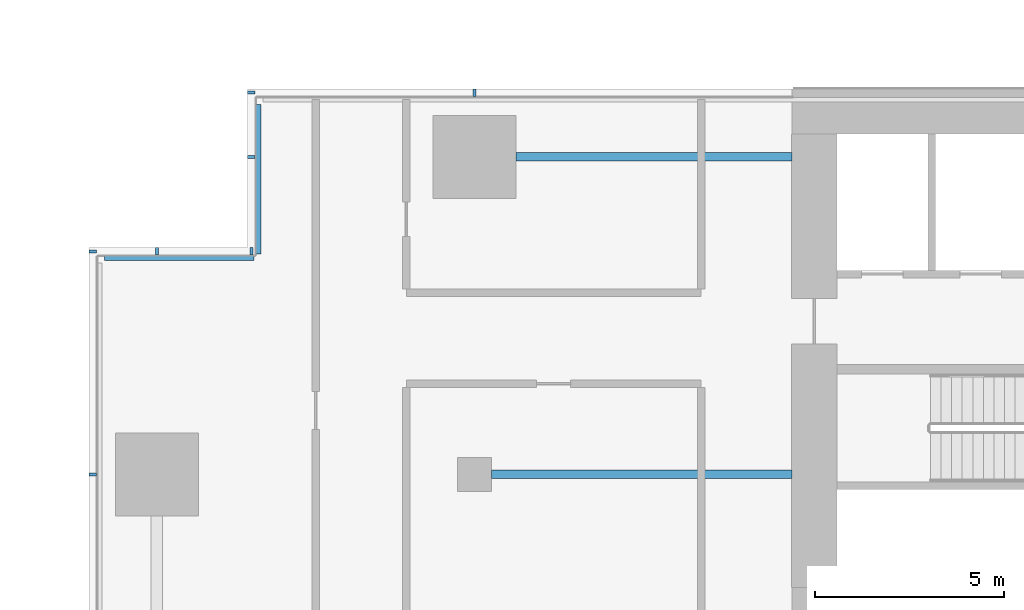
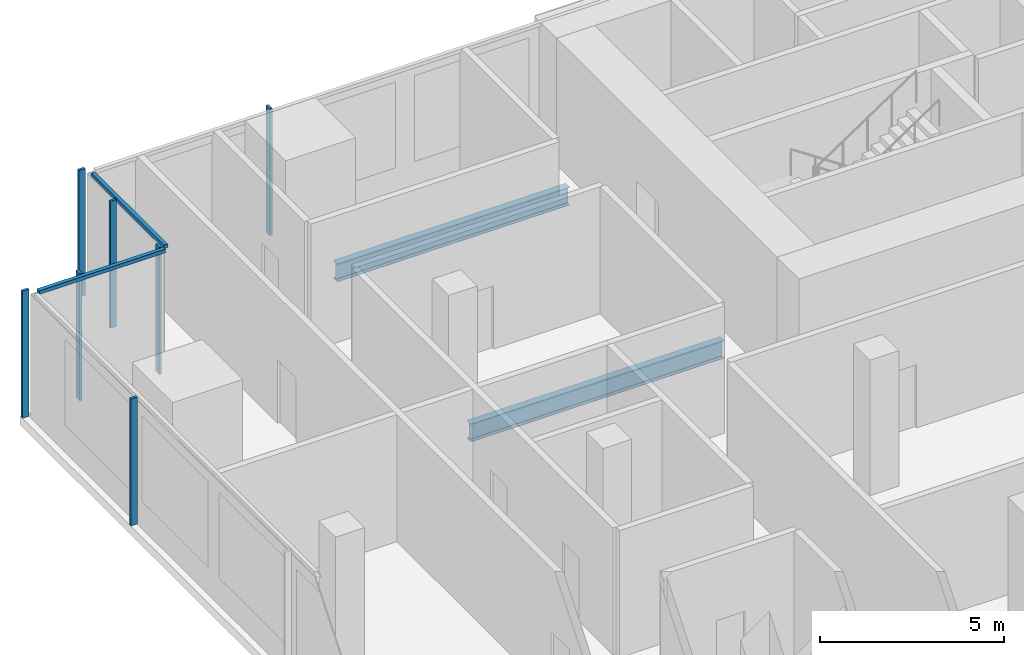
# One storey, part 6 of 23: 9 members, 2 beams, 4 elements without a shape of their own.
"""IFC4 building model written with IfcOpenShell, lengths in metres."""

from ifc_helpers import new_model, si_unit, direction, frame, origin, origin_2d, place, context, subcontext, project, spatial, rectangle, i_section, extrude, material, material_profile, profile_set, type_object, element, aggregate, save


model = new_model("IFC4")

# Units and contexts
model_context = context("Model", 3, precision=1e-05, world=origin(), true_north=direction((0.0, 1.0)))
body_context = subcontext(model_context, "Body", "Model", "MODEL_VIEW")
ifc_project = project(units=[si_unit("LENGTHUNIT", "METRE"), si_unit("AREAUNIT", "SQUARE_METRE"), si_unit("VOLUMEUNIT", "CUBIC_METRE"), si_unit("PLANEANGLEUNIT", "RADIAN"), si_unit("MASSUNIT", "GRAM", prefix="KILO")], contexts=[model_context])

# Site, building, storey
site_placement = place(None, origin())
site = spatial("IfcSite", under=ifc_project, at=site_placement, CompositionType="ELEMENT")
building_placement = place(site_placement, origin())
building = spatial("IfcBuilding", under=site, at=building_placement, Name="Saffron Gate Tower", CompositionType="ELEMENT")
storey_placement = place(building_placement, frame((0.0, 0.0, 32.699951171875)))
storey = spatial("IfcBuildingStorey", under=building, at=storey_placement, Name="L06", CompositionType="ELEMENT", Elevation=32.699951171875)

# Beams
ifc_material_1 = material(Name="Structural steel S355", Category="steel")
ifc_material_profile_1 = material_profile(ifc_material_1, i_section(OverallWidth=0.219970703125, OverallDepth=0.60009765625, WebThickness=0.011962890625, FlangeThickness=0.01904296875, FilletRadius=0.02392578125, at=origin_2d()))
ifc_profile_set_1 = profile_set([ifc_material_profile_1], Name="Structural steel S355")
beam_type = type_object("IfcBeamType", Name="B15 IPE 600", PredefinedType="BEAM", material=ifc_profile_set_1)
beam_1_placement = place(storey_placement, frame((58.64990234375, 65.39990234375, -0.599853515625), z_axis=(1.0, 0.0, 0.0), x_axis=(0.0, 1.0, 0.0)))
element("IfcBeam", 1, at=beam_1_placement, inside=storey, type_object=beam_type, Name="B15 CORE TIE BEAM", PredefinedType="BEAM", context=body_context, shape_type="SweptSolid", body=[
    extrude(i_section(OverallWidth=0.219970703125, OverallDepth=0.60009765625, WebThickness=0.011962890625, FlangeThickness=0.01904296875, FilletRadius=0.02392578125, at=origin_2d()), origin(), (0.0, 0.0, 1.0), 7.9501953125),
])
beam_2_placement = place(storey_placement, frame((59.300048828125, 73.800048828125, -0.599853515625), z_axis=(1.0, 0.0, 0.0), x_axis=(0.0, 1.0, 0.0)))
element("IfcBeam", 2, at=beam_2_placement, inside=storey, type_object=beam_type, Name="B15 CORE TIE BEAM", PredefinedType="BEAM", context=body_context, shape_type="SweptSolid", body=[
    extrude(i_section(OverallWidth=0.219970703125, OverallDepth=0.60009765625, WebThickness=0.011962890625, FlangeThickness=0.01904296875, FilletRadius=0.02392578125, at=origin_2d()), origin(), (0.0, 0.0, 1.0), 7.300048828125),
])

# Curtain wall, member
ifc_material_2 = material(Name="Aluminium, bronze anodised", Category="aluminium")
curtain_wall_type = type_object("IfcCurtainWallType", Name="CWS6 curtain wall tall storeys", PredefinedType="NOTDEFINED", material=ifc_material_2)
curtain_wall_1_placement = place(storey_placement, origin())
curtain_wall_1 = element("IfcCurtainWall", 3, at=curtain_wall_1_placement, inside=storey, type_object=curtain_wall_type, Name="CWS6 run 8", PredefinedType="NOTDEFINED")
ifc_material_profile_2 = material_profile(ifc_material_2, rectangle(XDim=0.1201171875, YDim=0.1201171875, at=origin_2d()))
ifc_profile_set_2 = profile_set([ifc_material_profile_2], Name="Aluminium, bronze anodised")
member_type_1 = type_object("IfcMemberType", Name="CWS6 head transom", PredefinedType="USERDEFINED", material=ifc_profile_set_2)
member_1_placement = place(storey_placement, frame((52.488037109375, 75.19189453125, 4.16015625), z_axis=(0.0, -1.0, 0.0), x_axis=(1.0, 0.0, 0.0)))
member_1 = element("IfcMember", 4, at=member_1_placement, type_object=member_type_1, Name="CWS6 head transom", ObjectType="TRANSOM", PredefinedType="USERDEFINED", context=body_context, shape_type="SweptSolid", body=[
    extrude(rectangle(XDim=0.1201171875, YDim=0.1201171875, at=origin_2d()), origin(), (0.0, 0.0, 1.0), 3.9599609375),
])

curtain_wall_2_placement = place(storey_placement, origin())
curtain_wall_2 = element("IfcCurtainWall", 5, at=curtain_wall_2_placement, inside=storey, type_object=curtain_wall_type, Name="CWS6 run 9", PredefinedType="NOTDEFINED")
member_2_placement = place(storey_placement, frame((52.367919921875, 71.112060546875, 4.16015625), z_axis=(-1.0, 0.0, 0.0), x_axis=(0.0, -1.0, 0.0)))
member_2 = element("IfcMember", 6, at=member_2_placement, type_object=member_type_1, Name="CWS6 head transom", ObjectType="TRANSOM", PredefinedType="USERDEFINED", context=body_context, shape_type="SweptSolid", body=[
    extrude(rectangle(XDim=0.1201171875, YDim=0.1201171875, at=origin_2d()), origin(), (0.0, 0.0, 1.0), 3.9599609375),
])

curtain_wall_3_placement = place(storey_placement, origin())
curtain_wall_3 = element("IfcCurtainWall", 7, at=curtain_wall_3_placement, inside=storey, type_object=curtain_wall_type, Name="CWS6 run 7", PredefinedType="NOTDEFINED")
ifc_material_profile_3 = material_profile(ifc_material_2, rectangle(XDim=0.199951171875, YDim=0.080078125, at=origin_2d()))
ifc_profile_set_3 = profile_set([ifc_material_profile_3], Name="Aluminium, bronze anodised")
member_type_2 = type_object("IfcMemberType", Name="CWS6 mullion 80x200", PredefinedType="MULLION", material=ifc_profile_set_3)
member_3_placement = place(storey_placement, frame((58.199951171875, 75.5, 0.0), z_axis=(0.0, 0.0, 1.0), x_axis=(0.0, -1.0, 0.0)))
member_3 = element("IfcMember", 8, at=member_3_placement, type_object=member_type_2, Name="CWS6 mullion 9", PredefinedType="MULLION", context=body_context, shape_type="SweptSolid", body=[
    extrude(rectangle(XDim=0.199951171875, YDim=0.080078125, at=origin_2d()), origin(), (0.0, 0.0, 1.0), 4.219970703125),
])
aggregate(curtain_wall_3, [member_3])

# Member
member_4_placement = place(storey_placement, frame((52.300048828125, 75.5, 0.0), z_axis=(0.0, 0.0, 1.0), x_axis=(1.0, 0.0, 0.0)))
member_4 = element("IfcMember", 9, at=member_4_placement, type_object=member_type_2, Name="CWS6 mullion 1", PredefinedType="MULLION", context=body_context, shape_type="SweptSolid", body=[
    extrude(rectangle(XDim=0.199951171875, YDim=0.080078125, at=origin_2d()), origin(), (0.0, 0.0, 1.0), 4.219970703125),
])

member_5_placement = place(storey_placement, frame((52.300048828125, 73.800048828125, 0.0), z_axis=(0.0, 0.0, 1.0), x_axis=(1.0, 0.0, 0.0)))
member_5 = element("IfcMember", 10, at=member_5_placement, type_object=member_type_2, Name="CWS6 mullion 2", PredefinedType="MULLION", context=body_context, shape_type="SweptSolid", body=[
    extrude(rectangle(XDim=0.199951171875, YDim=0.080078125, at=origin_2d()), origin(), (0.0, 0.0, 1.0), 4.219970703125),
])

aggregate(curtain_wall_1, [member_4, member_5, member_1])

member_6_placement = place(storey_placement, frame((52.300048828125, 71.300048828125, 0.0), z_axis=(0.0, 0.0, 1.0), x_axis=(0.0, -1.0, 0.0)))
member_6 = element("IfcMember", 11, at=member_6_placement, type_object=member_type_2, Name="CWS6 mullion 1", PredefinedType="MULLION", context=body_context, shape_type="SweptSolid", body=[
    extrude(rectangle(XDim=0.199951171875, YDim=0.080078125, at=origin_2d()), origin(), (0.0, 0.0, 1.0), 4.219970703125),
])

member_7_placement = place(storey_placement, frame((49.800048828125, 71.300048828125, 0.0), z_axis=(0.0, 0.0, 1.0), x_axis=(0.0, -1.0, 0.0)))
member_7 = element("IfcMember", 12, at=member_7_placement, type_object=member_type_2, Name="CWS6 mullion 2", PredefinedType="MULLION", context=body_context, shape_type="SweptSolid", body=[
    extrude(rectangle(XDim=0.199951171875, YDim=0.080078125, at=origin_2d()), origin(), (0.0, 0.0, 1.0), 4.219970703125),
])

aggregate(curtain_wall_2, [member_6, member_7, member_2])

# Curtain wall, members
curtain_wall_4_placement = place(storey_placement, origin())
curtain_wall_4 = element("IfcCurtainWall", 13, at=curtain_wall_4_placement, inside=storey, type_object=curtain_wall_type, Name="CWS6 run 10", PredefinedType="NOTDEFINED")
member_8_placement = place(storey_placement, frame((48.10009765625, 71.300048828125, 0.0), z_axis=(0.0, 0.0, 1.0), x_axis=(1.0, 0.0, 0.0)))
member_8 = element("IfcMember", 14, at=member_8_placement, type_object=member_type_2, Name="CWS6 mullion 1", PredefinedType="MULLION", context=body_context, shape_type="SweptSolid", body=[
    extrude(rectangle(XDim=0.199951171875, YDim=0.080078125, at=origin_2d()), origin(), (0.0, 0.0, 1.0), 4.219970703125),
])
member_9_placement = place(storey_placement, frame((48.10009765625, 65.39990234375, 0.0), z_axis=(0.0, 0.0, 1.0), x_axis=(1.0, 0.0, 0.0)))
member_9 = element("IfcMember", 15, at=member_9_placement, type_object=member_type_2, Name="CWS6 mullion 2", PredefinedType="MULLION", context=body_context, shape_type="SweptSolid", body=[
    extrude(rectangle(XDim=0.199951171875, YDim=0.080078125, at=origin_2d()), origin(), (0.0, 0.0, 1.0), 4.219970703125),
])
aggregate(curtain_wall_4, [member_8, member_9])

save(model, "model.ifc")
